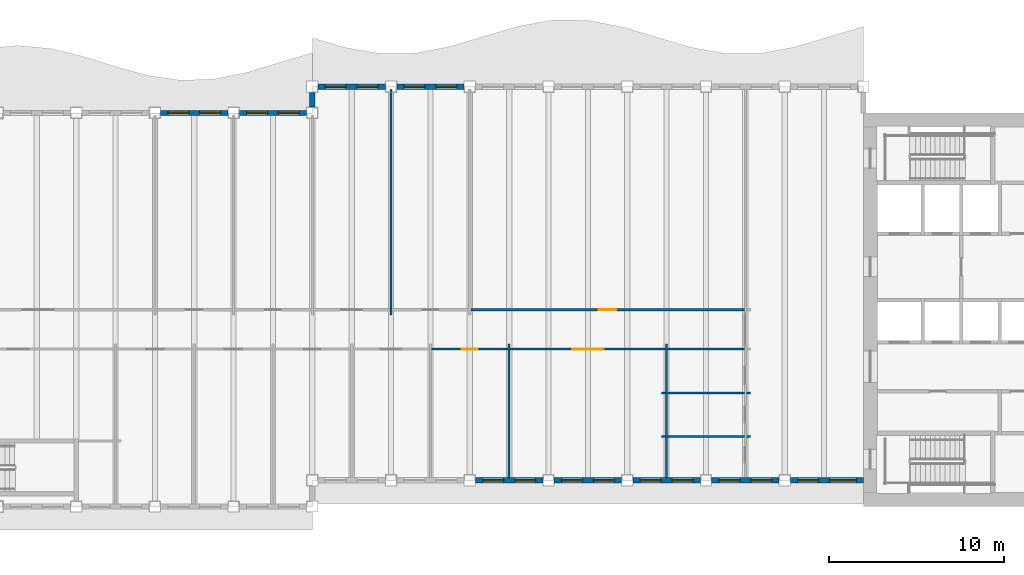
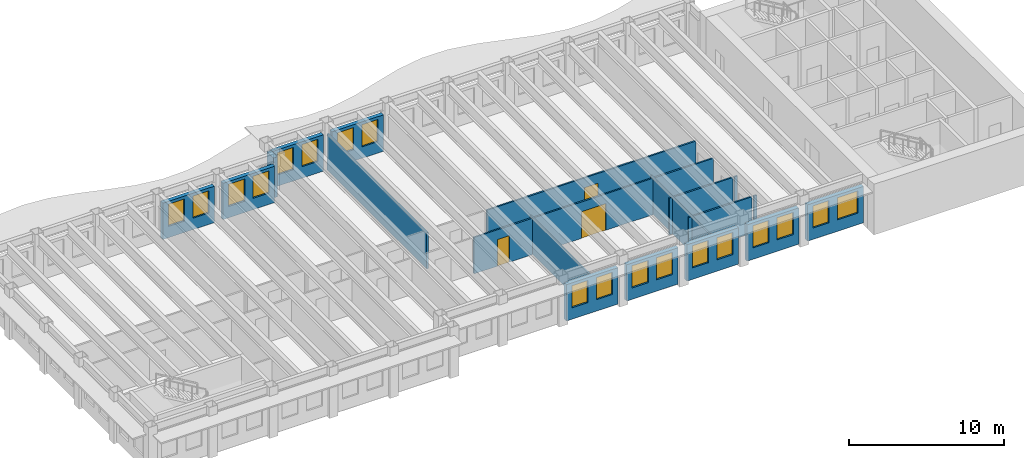
# One storey, part 4 of 12: 23 walls, 18 windows, 3 doors, 21 openings.
"""IFC4 building model written with IfcOpenShell, lengths in metres."""

import ifcopenshell
import ifcopenshell.guid

model = None  # the IFC model being written
_history = None  # IfcOwnerHistory: only IFC2X3 demands one
_inside = {}  # id of a spatial element -> (the spatial element, [elements in it])
_under = {}  # id of a project, library or spatial element -> (it, [spatial elements below it])
_declared = {}  # id of a project -> (the project, [libraries it declares])
_typed = {}  # id of a type object -> (the type object, [elements of that type])
_made_of = {}  # id of a material, layer set ... -> (it, [elements and type objects made of it])


def new_model(schema):
    """Start an empty IFC model of exactly this schema.

    Asked for "IFC4X3", IfcOpenShell would pick the latest addendum, in which some entities
    have other attributes; the version numbers below select the first issue.
    IFC2X3 requires an IfcOwnerHistory on every rooted entity: one is made here for all.
    """
    global model, _history
    if schema == "IFC4X3":
        model = ifcopenshell.file(schema_version=(4, 3, 0, 0))
    else:
        model = ifcopenshell.file(schema=schema)
    _inside.clear()
    _under.clear()
    _declared.clear()
    _typed.clear()
    _made_of.clear()
    _history = None
    if model.schema == "IFC2X3":
        org = make("IfcOrganization", Name="unknown")
        user = make(
            "IfcPersonAndOrganization",
            ThePerson=make("IfcPerson", FamilyName="unknown"),
            TheOrganization=org,
        )
        app = make(
            "IfcApplication",
            ApplicationDeveloper=org,
            Version="unknown",
            ApplicationFullName="unknown",
            ApplicationIdentifier="unknown",
        )
        _history = make(
            "IfcOwnerHistory",
            OwningUser=user,
            OwningApplication=app,
            ChangeAction="ADDED",
            CreationDate=0,
        )
    return model


def make(cls, **values):
    """One entity of the class cls with the attributes given. An attribute that is None is left unset."""
    return model.create_entity(
        cls, **{name: value for name, value in values.items() if value is not None}
    )


def rooted(cls, **values):
    """An entity with a GlobalId (a new one), such as an element, a storey or a relation."""
    return make(cls, GlobalId=ifcopenshell.guid.new(), OwnerHistory=_history, **values)


def si_unit(unit_type, name, prefix=None):
    """IfcSIUnit, for example si_unit("LENGTHUNIT", "METRE", prefix="MILLI")."""
    return make("IfcSIUnit", UnitType=unit_type, Prefix=prefix, Name=name)


def assignment(units):
    """IfcUnitAssignment: the units of a project."""
    return None if units is None else make("IfcUnitAssignment", Units=units)


def point(xyz):
    """IfcCartesianPoint."""
    return None if xyz is None else make("IfcCartesianPoint", Coordinates=xyz)


def direction(xyz):
    """IfcDirection."""
    return None if xyz is None else make("IfcDirection", DirectionRatios=xyz)


def frame(location, z_axis=None, x_axis=None):
    """IfcAxis2Placement3D, a coordinate frame: its origin and axes. An axis left out is left unset."""
    return make(
        "IfcAxis2Placement3D",
        Location=point(location),
        Axis=direction(z_axis),
        RefDirection=direction(x_axis),
    )


def frame_2d(location, x_axis=None):
    """IfcAxis2Placement2D, a coordinate frame in the plane: its origin and x axis."""
    return make(
        "IfcAxis2Placement2D", Location=point(location), RefDirection=direction(x_axis)
    )


def origin():
    """The frame at (0, 0, 0) with its axes left unset."""
    return frame((0.0, 0.0, 0.0))


def place(relative_to, where):
    """IfcLocalPlacement: puts the frame where relative to a parent placement (None: the world)."""
    return make(
        "IfcLocalPlacement", PlacementRelTo=relative_to, RelativePlacement=where
    )


def context(
    kind, dimensions, precision=None, world=None, true_north=None, identifier=None
):
    """IfcGeometricRepresentationContext, for example the 3D "Model" context."""
    return make(
        "IfcGeometricRepresentationContext",
        ContextIdentifier=identifier,
        ContextType=kind,
        CoordinateSpaceDimension=dimensions,
        Precision=precision,
        WorldCoordinateSystem=world,
        TrueNorth=true_north,
    )


def subcontext(parent, identifier, kind, view, scale=None):
    """IfcGeometricRepresentationSubContext, for example "Body" below "Model"."""
    return make(
        "IfcGeometricRepresentationSubContext",
        ContextIdentifier=identifier,
        ContextType=kind,
        ParentContext=parent,
        TargetScale=scale,
        TargetView=view,
    )


def project(units=None, contexts=None):
    """IfcProject with its units and contexts."""
    return rooted(
        "IfcProject",
        Name="project",
        RepresentationContexts=contexts,
        UnitsInContext=assignment(units),
    )


def spatial(cls, under=None, at=None, **own):
    """A site, building, storey or space (cls), placed at a placement, below another one or the project."""
    s = rooted(cls, ObjectPlacement=at, **own)
    if under is not None:
        _under.setdefault(under.id(), (under, []))[1].append(s)
    return s


def profile(cls, at=None, kind="AREA", **sizes):
    """A parametric profile (cls). Its sizes go by their IFC names, for example OverallWidth=200.0."""
    return make(cls, ProfileType=kind, Position=at, **sizes)


def rectangle(**sizes):
    """IfcRectangleProfileDef."""
    return profile("IfcRectangleProfileDef", **sizes)


def extrude(swept, where, along, depth):
    """IfcExtrudedAreaSolid: the profile swept, set in the frame where, extruded along a direction by depth."""
    return make(
        "IfcExtrudedAreaSolid",
        SweptArea=swept,
        Position=where,
        ExtrudedDirection=direction(along),
        Depth=depth,
    )


def shape(context_of_items, identifier, shape_type, items):
    """IfcShapeRepresentation: the items that make up one representation, for example the "Body"."""
    return make(
        "IfcShapeRepresentation",
        ContextOfItems=context_of_items,
        RepresentationIdentifier=identifier,
        RepresentationType=shape_type,
        Items=items,
    )


def material(Name=None, Category=None):
    """IfcMaterial."""
    return make("IfcMaterial", Name=Name, Category=Category)


def layer(
    of_material, thickness, ventilated=None, Name=None, Category=None, Priority=None
):
    """IfcMaterialLayer: one layer of a wall or slab, of a material (None: an air gap)."""
    return make(
        "IfcMaterialLayer",
        Material=of_material,
        LayerThickness=thickness,
        IsVentilated=ventilated,
        Name=Name,
        Category=Category,
        Priority=Priority,
    )


def layer_set(layers, Name=None):
    """IfcMaterialLayerSet."""
    return make("IfcMaterialLayerSet", MaterialLayers=layers, LayerSetName=Name)


def made_of(thing, what):
    """Note that an element or type object is made of a material, layer set ...; save() writes the relation."""
    if what is not None:
        _made_of.setdefault(what.id(), (what, []))[1].append(thing)
    return thing


def type_object(cls, material=None, **own):
    """A type object (cls), such as IfcWallType, which elements share."""
    return made_of(rooted(cls, **own), material)


def element(
    cls,
    number,
    at=None,
    inside=None,
    cuts=None,
    type_object=None,
    material=None,
    context=None,
    identifier="Body",
    shape_type=None,
    held_by="IfcProductDefinitionShape",
    body=None,
    shapes=None,
    **own,
):
    """One element of the class cls, such as IfcWall. Its Tag is "e" and its number.

    at: its placement. inside: the storey or other place that contains it. cuts: it is an
    opening in that element (IfcRelVoidsElement). A single representation is given by context,
    identifier, shape_type and body (its items); several are given by shapes. held_by: the class
    of the entity that holds the representations. save() writes the other relations.
    """
    e = rooted(cls, Tag="e%d" % number, ObjectPlacement=at, **own)
    if body is not None:
        shapes = [shape(context, identifier, shape_type, body)]
    if shapes is not None:
        e.Representation = make(held_by, Representations=shapes)
    if inside is not None:
        _inside.setdefault(inside.id(), (inside, []))[1].append(e)
    if cuts is not None:
        rooted(
            "IfcRelVoidsElement", RelatingBuildingElement=cuts, RelatedOpeningElement=e
        )
    if type_object is not None:
        _typed.setdefault(type_object.id(), (type_object, []))[1].append(e)
    return made_of(e, material)


def fill(opening, filler):
    """IfcRelFillsElement: the door or window that sits in an opening."""
    return rooted(
        "IfcRelFillsElement",
        RelatingOpeningElement=opening,
        RelatedBuildingElement=filler,
    )


def aggregate(whole, parts):
    """IfcRelAggregates: a whole, such as a stair, and the parts it consists of."""
    return rooted("IfcRelAggregates", RelatingObject=whole, RelatedObjects=parts)


def save(model, path):
    """Write the relations noted so far, then the file.

    IfcRelAggregates (storeys below a building ...), IfcRelContainedInSpatialStructure (elements
    in a storey), IfcRelDefinesByType, IfcRelAssociatesMaterial and IfcRelDeclares: one each for
    every whole, place, type object, material and project.
    """
    for whole, parts in _under.values():
        aggregate(whole, parts)
    for where, things in _inside.values():
        rooted(
            "IfcRelContainedInSpatialStructure",
            RelatedElements=things,
            RelatingStructure=where,
        )
    for kind, things in _typed.values():
        rooted("IfcRelDefinesByType", RelatedObjects=things, RelatingType=kind)
    for what, things in _made_of.values():
        rooted("IfcRelAssociatesMaterial", RelatedObjects=things, RelatingMaterial=what)
    for by, libraries in _declared.values():
        rooted("IfcRelDeclares", RelatingContext=by, RelatedDefinitions=libraries)
    model.write(path)


model = new_model("IFC4")

# Units and contexts
model_context = context("Model", 3, precision=1e-05, world=origin(), true_north=direction((0.0, 1.0)))
body_context = subcontext(model_context, "Body", "Model", "MODEL_VIEW")
ifc_project = project(units=[si_unit("LENGTHUNIT", "METRE"), si_unit("AREAUNIT", "SQUARE_METRE"), si_unit("VOLUMEUNIT", "CUBIC_METRE"), si_unit("PLANEANGLEUNIT", "RADIAN"), si_unit("MASSUNIT", "GRAM", prefix="KILO")], contexts=[model_context])

# Site, building, storey
site_placement = place(None, origin())
site = spatial("IfcSite", under=ifc_project, at=site_placement, CompositionType="ELEMENT")
building_placement = place(site_placement, origin())
building = spatial("IfcBuilding", under=site, at=building_placement, Name="Sennacour Bend Tower", CompositionType="ELEMENT")
storey_placement = place(building_placement, frame((0.0, 0.0, 289.0)))
storey = spatial("IfcBuildingStorey", under=building, at=storey_placement, Name="L67", CompositionType="ELEMENT", Elevation=289.0)

# Walls
ifc_material_1 = material(Name="Plasterboard partition on steel studs", Category="steel")
ifc_layer_1 = layer(ifc_material_1, 0.1201171875, Name="Plasterboard partition on steel studs", Category="steel")
ifc_layer_set_1 = layer_set([ifc_layer_1], Name="Plasterboard partition on steel studs")
wall_type_1 = type_object("IfcWallType", Name="Partition 120", PredefinedType="PARTITIONING", material=ifc_layer_set_1)
wall_1_placement = place(storey_placement, frame((27.0, 10.949951171875, 0.0), z_axis=(0.0, 0.0, 1.0), x_axis=(0.0, 1.0, 0.0)))
element("IfcWall", 1, at=wall_1_placement, inside=storey, type_object=wall_type_1, Name="P-L67-W011a", PredefinedType="PARTITIONING", context=body_context, shape_type="SweptSolid", body=[
    extrude(rectangle(XDim=12.900146484375, YDim=0.1201171875, at=frame_2d((6.4501953125, 0.0))), origin(), (0.0, 0.0, 1.0), 2.8701171875),
])
for number, where, z_axis, x_axis, name in (
    (2, (33.75, 1.64990234375, 0.0), (0.0, 0.0, 1.0), (0.0, 1.0, 0.0), "P-L67-W014a"),
    (3, (42.75, 1.64990234375, 0.0), (0.0, 0.0, 1.0), (0.0, 1.0, 0.0), "P-L67-W015a"),
):
    element("IfcWall", number, at=place(storey_placement, frame(where, z_axis=z_axis, x_axis=x_axis)), inside=storey, type_object=wall_type_1, Name=name, PredefinedType="PARTITIONING", context=body_context, shape_type="SweptSolid", body=[
        extrude(rectangle(XDim=7.650146484375, YDim=0.1201171875, at=frame_2d((3.8251953125, 0.0))), origin(), (0.0, 0.0, 1.0), 2.8701171875),
    ])
wall_2_placement = place(storey_placement, frame((42.449951171875, 4.0, 0.0), z_axis=(0.0, 0.0, 1.0), x_axis=(1.0, 0.0, 0.0)))
element("IfcWall", 4, at=wall_2_placement, inside=storey, type_object=wall_type_1, Name="P-L67-W036aa", PredefinedType="PARTITIONING", context=body_context, shape_type="SweptSolid", body=[
    extrude(rectangle(XDim=0.239990234375, YDim=0.1201171875, at=frame_2d((0.1201171875, 0.0))), origin(), (0.0, 0.0, 1.0), 2.8701171875),
])
wall_3_placement = place(storey_placement, frame((42.81005859375, 4.0, 0.0), z_axis=(0.0, 0.0, 1.0), x_axis=(1.0, 0.0, 0.0)))
element("IfcWall", 5, at=wall_3_placement, inside=storey, type_object=wall_type_1, Name="P-L67-W036ab", PredefinedType="PARTITIONING", context=body_context, shape_type="SweptSolid", body=[
    extrude(rectangle(XDim=4.3798828125, YDim=0.1201171875, at=frame_2d((2.18994140625, 0.0))), origin(), (0.0, 0.0, 1.0), 2.8701171875),
])
for number, where, z_axis, x_axis, name in (
    (6, (47.31005859375, 4.0, 0.0), (0.0, 0.0, 1.0), (1.0, 0.0, 0.0), "P-L67-W036ac"),
    (7, (42.449951171875, 6.5, 0.0), (0.0, 0.0, 1.0), (1.0, 0.0, 0.0), "P-L67-W039aa"),
):
    element("IfcWall", number, at=place(storey_placement, frame(where, z_axis=z_axis, x_axis=x_axis)), inside=storey, type_object=wall_type_1, Name=name, PredefinedType="PARTITIONING", context=body_context, shape_type="SweptSolid", body=[
        extrude(rectangle(XDim=0.239990234375, YDim=0.1201171875, at=frame_2d((0.1201171875, 0.0))), origin(), (0.0, 0.0, 1.0), 2.8701171875),
    ])
wall_4_placement = place(storey_placement, frame((42.81005859375, 6.5, 0.0), z_axis=(0.0, 0.0, 1.0), x_axis=(1.0, 0.0, 0.0)))
element("IfcWall", 8, at=wall_4_placement, inside=storey, type_object=wall_type_1, Name="P-L67-W039ab", PredefinedType="PARTITIONING", context=body_context, shape_type="SweptSolid", body=[
    extrude(rectangle(XDim=4.3798828125, YDim=0.1201171875, at=frame_2d((2.18994140625, 0.0))), origin(), (0.0, 0.0, 1.0), 2.8701171875),
])
wall_5_placement = place(storey_placement, frame((47.31005859375, 6.5, 0.0), z_axis=(0.0, 0.0, 1.0), x_axis=(1.0, 0.0, 0.0)))
element("IfcWall", 9, at=wall_5_placement, inside=storey, type_object=wall_type_1, Name="P-L67-W039ac", PredefinedType="PARTITIONING", context=body_context, shape_type="SweptSolid", body=[
    extrude(rectangle(XDim=0.239990234375, YDim=0.1201171875, at=frame_2d((0.1201171875, 0.0))), origin(), (0.0, 0.0, 1.0), 2.8701171875),
])

# Wall, opening, door
wall_6_placement = place(storey_placement, frame((33.81005859375, 9.0, 0.0), z_axis=(0.0, 0.0, 1.0), x_axis=(1.0, 0.0, 0.0)))
wall_6 = element("IfcWall", 10, at=wall_6_placement, inside=storey, type_object=wall_type_1, Name="P-L67-W041ag", PredefinedType="PARTITIONING", context=body_context, shape_type="SweptSolid", body=[
    extrude(rectangle(XDim=8.8798828125, YDim=0.1201171875, at=frame_2d((4.43994140625, 0.0))), origin(), (0.0, 0.0, 1.0), 2.8701171875),
])
opening_1_placement = place(wall_6_placement, frame((3.539794921875, 0.0, 0.0)))
opening_1 = element("IfcOpeningElement", 11, at=opening_1_placement, cuts=wall_6, Name="Opening OD3", PredefinedType="OPENING", context=body_context, shape_type="SweptSolid", body=[
    extrude(rectangle(XDim=1.800048828125, YDim=2.10009765625, at=frame_2d((0.89990234375, 1.050048828125))), frame((0.0, 0.070068359375, 0.0), z_axis=(0.0, -1.0, 0.0), x_axis=(1.0, 0.0, 0.0)), (0.0, 0.0, 1.0), 0.14013671875),
])
ifc_material_2 = material(Name="Timber", Category="wood")
door_type_1 = type_object("IfcDoorType", Name="DR-OFFICE-1800", OperationType="NOTDEFINED", PredefinedType="DOOR", material=ifc_material_2)
door_1_placement = place(opening_1_placement, origin())
door_1 = element("IfcDoor", 12, at=door_1_placement, inside=storey, type_object=door_type_1, Name="Door", OperationType="DOUBLE_DOOR_SINGLE_SWING", OverallHeight=2.10009765625, OverallWidth=1.800048828125, PredefinedType="DOOR", context=body_context, shape_type="SweptSolid", body=[
    extrude(rectangle(XDim=1.800048828125, YDim=2.10009765625, at=frame_2d((0.89990234375, 1.050048828125))), frame((0.0, 0.02490234375, 0.0), z_axis=(0.0, -1.0, 0.0), x_axis=(1.0, 0.0, 0.0)), (0.0, 0.0, 1.0), 0.050048828125),
])
fill(opening_1, door_1)

# Wall
wall_7_placement = place(storey_placement, frame((42.81005859375, 9.0, 0.0), z_axis=(0.0, 0.0, 1.0), x_axis=(1.0, 0.0, 0.0)))
element("IfcWall", 13, at=wall_7_placement, inside=storey, type_object=wall_type_1, Name="P-L67-W041ah", PredefinedType="PARTITIONING", context=body_context, shape_type="SweptSolid", body=[
    extrude(rectangle(XDim=4.3798828125, YDim=0.1201171875, at=frame_2d((2.18994140625, 0.0))), origin(), (0.0, 0.0, 1.0), 2.8701171875),
])

# Wall, opening, door
wall_8_placement = place(storey_placement, frame((31.56005859375, 11.25, 0.0), z_axis=(0.0, 0.0, 1.0), x_axis=(1.0, 0.0, 0.0)))
wall_8 = element("IfcWall", 14, at=wall_8_placement, inside=storey, type_object=wall_type_1, Name="P-L67-W043af", PredefinedType="PARTITIONING", context=body_context, shape_type="SweptSolid", body=[
    extrude(rectangle(XDim=15.6298828125, YDim=0.1201171875, at=frame_2d((7.81494140625, 0.0))), origin(), (0.0, 0.0, 1.0), 2.8701171875),
])
opening_2_placement = place(wall_8_placement, frame((7.31494140625, 0.0, 0.0)))
opening_2 = element("IfcOpeningElement", 15, at=opening_2_placement, cuts=wall_8, Name="Opening OD2", PredefinedType="OPENING", context=body_context, shape_type="SweptSolid", body=[
    extrude(rectangle(XDim=1.0, YDim=2.10009765625, at=frame_2d((0.5, 1.050048828125))), frame((0.0, 0.070068359375, 0.0), z_axis=(0.0, -1.0, 0.0), x_axis=(1.0, 0.0, 0.0)), (0.0, 0.0, 1.0), 0.14013671875),
])
door_type_2 = type_object("IfcDoorType", Name="DR-OFFICE-1000", OperationType="NOTDEFINED", PredefinedType="DOOR", material=ifc_material_2)
door_2_placement = place(opening_2_placement, origin())
door_2 = element("IfcDoor", 16, at=door_2_placement, inside=storey, type_object=door_type_2, Name="Door", OperationType="SINGLE_SWING_LEFT", OverallHeight=2.10009765625, OverallWidth=1.0, PredefinedType="DOOR", context=body_context, shape_type="SweptSolid", body=[
    extrude(rectangle(XDim=1.0, YDim=2.10009765625, at=frame_2d((0.5, 1.050048828125))), frame((0.0, 0.02490234375, 0.0), z_axis=(0.0, -1.0, 0.0), x_axis=(1.0, 0.0, 0.0)), (0.0, 0.0, 1.0), 0.050048828125),
])
fill(opening_2, door_2)

ifc_layer_2 = layer(ifc_material_1, 0.1201171875, Name="Plasterboard partition on steel studs", Category="steel")
ifc_layer_set_2 = layer_set([ifc_layer_2], Name="Plasterboard partition on steel studs")
wall_type_2 = type_object("IfcWallType", Name="Partition 120 EI 60", PredefinedType="PARTITIONING", material=ifc_layer_set_2)
wall_9_placement = place(storey_placement, frame((29.31005859375, 9.0, 0.0), z_axis=(0.0, 0.0, 1.0), x_axis=(1.0, 0.0, 0.0)))
wall_9 = element("IfcWall", 17, at=wall_9_placement, inside=storey, type_object=wall_type_2, Name="P-L67-W041af", PredefinedType="PARTITIONING", context=body_context, shape_type="SweptSolid", body=[
    extrude(rectangle(XDim=4.3798828125, YDim=0.1201171875, at=frame_2d((2.18994140625, 0.0))), origin(), (0.0, 0.0, 1.0), 2.8701171875),
])
opening_3_placement = place(wall_9_placement, frame((1.739990234375, 0.0, 0.0)))
opening_3 = element("IfcOpeningElement", 18, at=opening_3_placement, cuts=wall_9, Name="Opening SV", PredefinedType="OPENING", context=body_context, shape_type="SweptSolid", body=[
    extrude(rectangle(XDim=0.89990234375, YDim=2.10009765625, at=frame_2d((0.449951171875, 1.050048828125))), frame((0.0, 0.070068359375, 0.0), z_axis=(0.0, -1.0, 0.0), x_axis=(1.0, 0.0, 0.0)), (0.0, 0.0, 1.0), 0.14013671875),
])
ifc_material_3 = material(Name="Painted steel", Category="steel")
door_type_3 = type_object("IfcDoorType", Name="DR-SERVICE-900", OperationType="NOTDEFINED", PredefinedType="DOOR", material=ifc_material_3)
door_3_placement = place(opening_3_placement, origin())
door_3 = element("IfcDoor", 19, at=door_3_placement, inside=storey, type_object=door_type_3, Name="Door", OperationType="SINGLE_SWING_LEFT", OverallHeight=2.10009765625, OverallWidth=0.89990234375, PredefinedType="DOOR", context=body_context, shape_type="SweptSolid", body=[
    extrude(rectangle(XDim=0.89990234375, YDim=2.10009765625, at=frame_2d((0.449951171875, 1.050048828125))), frame((0.0, 0.02490234375, 0.0), z_axis=(0.0, -1.0, 0.0), x_axis=(1.0, 0.0, 0.0)), (0.0, 0.0, 1.0), 0.050048828125),
])
fill(opening_3, door_3)

# Wall, openings, windows
ifc_material_4 = material(Name="Warm limestone cladding", Category="masonry")
ifc_layer_3 = layer(ifc_material_4, 0.050048828125, Name="Warm limestone cladding", Category="masonry")
ifc_material_5 = material(Name="Precast concrete C40/50", Category="concrete")
ifc_layer_4 = layer(ifc_material_5, 0.25, Name="Precast concrete C40/50", Category="concrete")
ifc_layer_set_3 = layer_set([ifc_layer_3, ifc_layer_4], Name="Precast concrete C40/50 with limestone cladding")
wall_type_3 = type_object("IfcWallType", Name="STONE-CLAD PRECAST SPANDREL 300", PredefinedType="STANDARD", material=ifc_layer_set_3)
wall_10_placement = place(storey_placement, frame((31.824951171875, 1.5, 0.0), z_axis=(0.0, 0.0, 1.0), x_axis=(1.0, 0.0, 0.0)))
wall_10 = element("IfcWall", 20, at=wall_10_placement, inside=storey, type_object=wall_type_3, Name="Stone spandrel and pier wall L67 01.02", PredefinedType="STANDARD", context=body_context, shape_type="SweptSolid", body=[
    extrude(rectangle(XDim=3.85009765625, YDim=0.300048828125, at=frame_2d((1.925048828125, 0.0))), origin(), (0.0, 0.0, 1.0), 2.8701171875),
])
opening_4_placement = place(wall_10_placement, frame((0.41259765625, 0.0, 0.89990234375)))
opening_4 = element("IfcOpeningElement", 21, at=opening_4_placement, cuts=wall_10, Name="Opening W16", PredefinedType="OPENING", context=body_context, shape_type="SweptSolid", body=[
    extrude(rectangle(XDim=1.199951171875, YDim=1.75, at=frame_2d((0.60009765625, 0.875))), frame((0.0, 0.16015625, 0.0), z_axis=(0.0, -1.0, 0.0), x_axis=(1.0, 0.0, 0.0)), (0.0, 0.0, 1.0), 0.320068359375),
])
opening_5_placement = place(wall_10_placement, frame((2.237548828125, 0.0, 0.89990234375)))
opening_5 = element("IfcOpeningElement", 22, at=opening_5_placement, cuts=wall_10, Name="Opening W16", PredefinedType="OPENING", context=body_context, shape_type="SweptSolid", body=[
    extrude(rectangle(XDim=1.199951171875, YDim=1.75, at=frame_2d((0.60009765625, 0.875))), frame((0.0, 0.16015625, 0.0), z_axis=(0.0, -1.0, 0.0), x_axis=(1.0, 0.0, 0.0)), (0.0, 0.0, 1.0), 0.320068359375),
])
ifc_material_6 = material(Name="Clear low-emissivity glass", Category="glass")
window_type_1 = type_object("IfcWindowType", Name="WIN-RIBBON-1200x1750", PartitioningType="SINGLE_PANEL", PredefinedType="WINDOW", material=ifc_material_6)
window_1_placement = place(opening_4_placement, origin())
window_1 = element("IfcWindow", 23, at=window_1_placement, inside=storey, type_object=window_type_1, Name="Ribbon window L67 01.02.0", OverallHeight=1.75, OverallWidth=1.199951171875, PartitioningType="SINGLE_PANEL", PredefinedType="WINDOW", context=body_context, shape_type="SweptSolid", body=[
    extrude(rectangle(XDim=1.199951171875, YDim=1.75, at=frame_2d((0.60009765625, 0.875))), frame((0.0, 0.030029296875, 0.0), z_axis=(0.0, -1.0, 0.0), x_axis=(1.0, 0.0, 0.0)), (0.0, 0.0, 1.0), 0.06005859375),
])
fill(opening_4, window_1)
window_2_placement = place(opening_5_placement, origin())
window_2 = element("IfcWindow", 24, at=window_2_placement, inside=storey, type_object=window_type_1, Name="Ribbon window L67 01.02.1", OverallHeight=1.75, OverallWidth=1.199951171875, PartitioningType="SINGLE_PANEL", PredefinedType="WINDOW", context=body_context, shape_type="SweptSolid", body=[
    extrude(rectangle(XDim=1.199951171875, YDim=1.75, at=frame_2d((0.60009765625, 0.875))), frame((0.0, 0.030029296875, 0.0), z_axis=(0.0, -1.0, 0.0), x_axis=(1.0, 0.0, 0.0)), (0.0, 0.0, 1.0), 0.06005859375),
])
fill(opening_5, window_2)

wall_11_placement = place(storey_placement, frame((36.324951171875, 1.5, 0.0), z_axis=(0.0, 0.0, 1.0), x_axis=(1.0, 0.0, 0.0)))
wall_11 = element("IfcWall", 25, at=wall_11_placement, inside=storey, type_object=wall_type_3, Name="Stone spandrel and pier wall L67 01.03", PredefinedType="STANDARD", context=body_context, shape_type="SweptSolid", body=[
    extrude(rectangle(XDim=3.85009765625, YDim=0.300048828125, at=frame_2d((1.925048828125, 0.0))), origin(), (0.0, 0.0, 1.0), 2.8701171875),
])
opening_6_placement = place(wall_11_placement, frame((0.41259765625, 0.0, 0.89990234375)))
opening_6 = element("IfcOpeningElement", 26, at=opening_6_placement, cuts=wall_11, Name="Opening W16", PredefinedType="OPENING", context=body_context, shape_type="SweptSolid", body=[
    extrude(rectangle(XDim=1.199951171875, YDim=1.75, at=frame_2d((0.60009765625, 0.875))), frame((0.0, 0.16015625, 0.0), z_axis=(0.0, -1.0, 0.0), x_axis=(1.0, 0.0, 0.0)), (0.0, 0.0, 1.0), 0.320068359375),
])
opening_7_placement = place(wall_11_placement, frame((2.237548828125, 0.0, 0.89990234375)))
opening_7 = element("IfcOpeningElement", 27, at=opening_7_placement, cuts=wall_11, Name="Opening W16", PredefinedType="OPENING", context=body_context, shape_type="SweptSolid", body=[
    extrude(rectangle(XDim=1.199951171875, YDim=1.75, at=frame_2d((0.60009765625, 0.875))), frame((0.0, 0.16015625, 0.0), z_axis=(0.0, -1.0, 0.0), x_axis=(1.0, 0.0, 0.0)), (0.0, 0.0, 1.0), 0.320068359375),
])
window_3_placement = place(opening_6_placement, origin())
window_3 = element("IfcWindow", 28, at=window_3_placement, inside=storey, type_object=window_type_1, Name="Ribbon window L67 01.03.0", OverallHeight=1.75, OverallWidth=1.199951171875, PartitioningType="SINGLE_PANEL", PredefinedType="WINDOW", context=body_context, shape_type="SweptSolid", body=[
    extrude(rectangle(XDim=1.199951171875, YDim=1.75, at=frame_2d((0.60009765625, 0.875))), frame((0.0, 0.030029296875, 0.0), z_axis=(0.0, -1.0, 0.0), x_axis=(1.0, 0.0, 0.0)), (0.0, 0.0, 1.0), 0.06005859375),
])
fill(opening_6, window_3)
window_4_placement = place(opening_7_placement, origin())
window_4 = element("IfcWindow", 29, at=window_4_placement, inside=storey, type_object=window_type_1, Name="Ribbon window L67 01.03.1", OverallHeight=1.75, OverallWidth=1.199951171875, PartitioningType="SINGLE_PANEL", PredefinedType="WINDOW", context=body_context, shape_type="SweptSolid", body=[
    extrude(rectangle(XDim=1.199951171875, YDim=1.75, at=frame_2d((0.60009765625, 0.875))), frame((0.0, 0.030029296875, 0.0), z_axis=(0.0, -1.0, 0.0), x_axis=(1.0, 0.0, 0.0)), (0.0, 0.0, 1.0), 0.06005859375),
])
fill(opening_7, window_4)

wall_12_placement = place(storey_placement, frame((40.824951171875, 1.5, 0.0), z_axis=(0.0, 0.0, 1.0), x_axis=(1.0, 0.0, 0.0)))
wall_12 = element("IfcWall", 30, at=wall_12_placement, inside=storey, type_object=wall_type_3, Name="Stone spandrel and pier wall L67 01.04", PredefinedType="STANDARD", context=body_context, shape_type="SweptSolid", body=[
    extrude(rectangle(XDim=3.85009765625, YDim=0.300048828125, at=frame_2d((1.925048828125, 0.0))), origin(), (0.0, 0.0, 1.0), 2.8701171875),
])
opening_8_placement = place(wall_12_placement, frame((0.41259765625, 0.0, 0.89990234375)))
opening_8 = element("IfcOpeningElement", 31, at=opening_8_placement, cuts=wall_12, Name="Opening W16", PredefinedType="OPENING", context=body_context, shape_type="SweptSolid", body=[
    extrude(rectangle(XDim=1.199951171875, YDim=1.75, at=frame_2d((0.60009765625, 0.875))), frame((0.0, 0.16015625, 0.0), z_axis=(0.0, -1.0, 0.0), x_axis=(1.0, 0.0, 0.0)), (0.0, 0.0, 1.0), 0.320068359375),
])
opening_9_placement = place(wall_12_placement, frame((2.237548828125, 0.0, 0.89990234375)))
opening_9 = element("IfcOpeningElement", 32, at=opening_9_placement, cuts=wall_12, Name="Opening W16", PredefinedType="OPENING", context=body_context, shape_type="SweptSolid", body=[
    extrude(rectangle(XDim=1.199951171875, YDim=1.75, at=frame_2d((0.60009765625, 0.875))), frame((0.0, 0.16015625, 0.0), z_axis=(0.0, -1.0, 0.0), x_axis=(1.0, 0.0, 0.0)), (0.0, 0.0, 1.0), 0.320068359375),
])
window_5_placement = place(opening_8_placement, origin())
window_5 = element("IfcWindow", 33, at=window_5_placement, inside=storey, type_object=window_type_1, Name="Ribbon window L67 01.04.0", OverallHeight=1.75, OverallWidth=1.199951171875, PartitioningType="SINGLE_PANEL", PredefinedType="WINDOW", context=body_context, shape_type="SweptSolid", body=[
    extrude(rectangle(XDim=1.199951171875, YDim=1.75, at=frame_2d((0.60009765625, 0.875))), frame((0.0, 0.030029296875, 0.0), z_axis=(0.0, -1.0, 0.0), x_axis=(1.0, 0.0, 0.0)), (0.0, 0.0, 1.0), 0.06005859375),
])
fill(opening_8, window_5)
window_6_placement = place(opening_9_placement, origin())
window_6 = element("IfcWindow", 34, at=window_6_placement, inside=storey, type_object=window_type_1, Name="Ribbon window L67 01.04.1", OverallHeight=1.75, OverallWidth=1.199951171875, PartitioningType="SINGLE_PANEL", PredefinedType="WINDOW", context=body_context, shape_type="SweptSolid", body=[
    extrude(rectangle(XDim=1.199951171875, YDim=1.75, at=frame_2d((0.60009765625, 0.875))), frame((0.0, 0.030029296875, 0.0), z_axis=(0.0, -1.0, 0.0), x_axis=(1.0, 0.0, 0.0)), (0.0, 0.0, 1.0), 0.06005859375),
])
fill(opening_9, window_6)

wall_13_placement = place(storey_placement, frame((45.324951171875, 1.5, 0.0), z_axis=(0.0, 0.0, 1.0), x_axis=(1.0, 0.0, 0.0)))
wall_13 = element("IfcWall", 35, at=wall_13_placement, inside=storey, type_object=wall_type_3, Name="Stone spandrel and pier wall L67 01.05", PredefinedType="STANDARD", context=body_context, shape_type="SweptSolid", body=[
    extrude(rectangle(XDim=3.85009765625, YDim=0.300048828125, at=frame_2d((1.925048828125, 0.0))), origin(), (0.0, 0.0, 1.0), 2.8701171875),
])
opening_10_placement = place(wall_13_placement, frame((0.41259765625, 0.0, 0.89990234375)))
opening_10 = element("IfcOpeningElement", 36, at=opening_10_placement, cuts=wall_13, Name="Opening W16", PredefinedType="OPENING", context=body_context, shape_type="SweptSolid", body=[
    extrude(rectangle(XDim=1.199951171875, YDim=1.75, at=frame_2d((0.60009765625, 0.875))), frame((0.0, 0.16015625, 0.0), z_axis=(0.0, -1.0, 0.0), x_axis=(1.0, 0.0, 0.0)), (0.0, 0.0, 1.0), 0.320068359375),
])
opening_11_placement = place(wall_13_placement, frame((2.237548828125, 0.0, 0.89990234375)))
opening_11 = element("IfcOpeningElement", 37, at=opening_11_placement, cuts=wall_13, Name="Opening W16", PredefinedType="OPENING", context=body_context, shape_type="SweptSolid", body=[
    extrude(rectangle(XDim=1.199951171875, YDim=1.75, at=frame_2d((0.60009765625, 0.875))), frame((0.0, 0.16015625, 0.0), z_axis=(0.0, -1.0, 0.0), x_axis=(1.0, 0.0, 0.0)), (0.0, 0.0, 1.0), 0.320068359375),
])
window_7_placement = place(opening_10_placement, origin())
window_7 = element("IfcWindow", 38, at=window_7_placement, inside=storey, type_object=window_type_1, Name="Ribbon window L67 01.05.0", OverallHeight=1.75, OverallWidth=1.199951171875, PartitioningType="SINGLE_PANEL", PredefinedType="WINDOW", context=body_context, shape_type="SweptSolid", body=[
    extrude(rectangle(XDim=1.199951171875, YDim=1.75, at=frame_2d((0.60009765625, 0.875))), frame((0.0, 0.030029296875, 0.0), z_axis=(0.0, -1.0, 0.0), x_axis=(1.0, 0.0, 0.0)), (0.0, 0.0, 1.0), 0.06005859375),
])
fill(opening_10, window_7)
window_8_placement = place(opening_11_placement, origin())
window_8 = element("IfcWindow", 39, at=window_8_placement, inside=storey, type_object=window_type_1, Name="Ribbon window L67 01.05.1", OverallHeight=1.75, OverallWidth=1.199951171875, PartitioningType="SINGLE_PANEL", PredefinedType="WINDOW", context=body_context, shape_type="SweptSolid", body=[
    extrude(rectangle(XDim=1.199951171875, YDim=1.75, at=frame_2d((0.60009765625, 0.875))), frame((0.0, 0.030029296875, 0.0), z_axis=(0.0, -1.0, 0.0), x_axis=(1.0, 0.0, 0.0)), (0.0, 0.0, 1.0), 0.06005859375),
])
fill(opening_11, window_8)

wall_14_placement = place(storey_placement, frame((49.824951171875, 1.5, 0.0), z_axis=(0.0, 0.0, 1.0), x_axis=(1.0, 0.0, 0.0)))
wall_14 = element("IfcWall", 40, at=wall_14_placement, inside=storey, type_object=wall_type_3, Name="Stone spandrel and pier wall L67 01.06", PredefinedType="STANDARD", context=body_context, shape_type="SweptSolid", body=[
    extrude(rectangle(XDim=4.175048828125, YDim=0.300048828125, at=frame_2d((2.08740234375, 0.0))), origin(), (0.0, 0.0, 1.0), 2.8701171875),
])
opening_12_placement = place(wall_14_placement, frame((0.41259765625, 0.0, 0.89990234375)))
opening_12 = element("IfcOpeningElement", 41, at=opening_12_placement, cuts=wall_14, Name="Opening W16", PredefinedType="OPENING", context=body_context, shape_type="SweptSolid", body=[
    extrude(rectangle(XDim=1.199951171875, YDim=1.75, at=frame_2d((0.60009765625, 0.875))), frame((0.0, 0.16015625, 0.0), z_axis=(0.0, -1.0, 0.0), x_axis=(1.0, 0.0, 0.0)), (0.0, 0.0, 1.0), 0.320068359375),
])
opening_13_placement = place(wall_14_placement, frame((2.22509765625, 0.0, 0.89990234375)))
opening_13 = element("IfcOpeningElement", 42, at=opening_13_placement, cuts=wall_14, Name="Opening W12", PredefinedType="OPENING", context=body_context, shape_type="SweptSolid", body=[
    extrude(rectangle(XDim=1.550048828125, YDim=1.75, at=frame_2d((0.77490234375, 0.875))), frame((0.0, 0.16015625, 0.0), z_axis=(0.0, -1.0, 0.0), x_axis=(1.0, 0.0, 0.0)), (0.0, 0.0, 1.0), 0.320068359375),
])
window_9_placement = place(opening_12_placement, origin())
window_9 = element("IfcWindow", 43, at=window_9_placement, inside=storey, type_object=window_type_1, Name="Ribbon window L67 01.06.0", OverallHeight=1.75, OverallWidth=1.199951171875, PartitioningType="SINGLE_PANEL", PredefinedType="WINDOW", context=body_context, shape_type="SweptSolid", body=[
    extrude(rectangle(XDim=1.199951171875, YDim=1.75, at=frame_2d((0.60009765625, 0.875))), frame((0.0, 0.030029296875, 0.0), z_axis=(0.0, -1.0, 0.0), x_axis=(1.0, 0.0, 0.0)), (0.0, 0.0, 1.0), 0.06005859375),
])
fill(opening_12, window_9)
window_type_2 = type_object("IfcWindowType", Name="WIN-RIBBON-1550x1750", PartitioningType="SINGLE_PANEL", PredefinedType="WINDOW", material=ifc_material_6)
window_10_placement = place(opening_13_placement, origin())
window_10 = element("IfcWindow", 44, at=window_10_placement, inside=storey, type_object=window_type_2, Name="Ribbon window L67 01.06.1", OverallHeight=1.75, OverallWidth=1.550048828125, PartitioningType="SINGLE_PANEL", PredefinedType="WINDOW", context=body_context, shape_type="SweptSolid", body=[
    extrude(rectangle(XDim=1.550048828125, YDim=1.75, at=frame_2d((0.77490234375, 0.875))), frame((0.0, 0.030029296875, 0.0), z_axis=(0.0, -1.0, 0.0), x_axis=(1.0, 0.0, 0.0)), (0.0, 0.0, 1.0), 0.06005859375),
])
fill(opening_13, window_10)

wall_15_placement = place(storey_placement, frame((31.175048828125, 24.0, 0.0), z_axis=(0.0, 0.0, 1.0), x_axis=(-1.0, 0.0, 0.0)))
wall_15 = element("IfcWall", 45, at=wall_15_placement, inside=storey, type_object=wall_type_3, Name="Stone spandrel and pier wall L67 07.05", PredefinedType="STANDARD", context=body_context, shape_type="SweptSolid", body=[
    extrude(rectangle(XDim=3.85009765625, YDim=0.300048828125, at=frame_2d((1.925048828125, 0.0))), origin(), (0.0, 0.0, 1.0), 2.8701171875),
])
opening_14_placement = place(wall_15_placement, frame((0.41259765625, 0.0, 0.89990234375)))
opening_14 = element("IfcOpeningElement", 46, at=opening_14_placement, cuts=wall_15, Name="Opening W16", PredefinedType="OPENING", context=body_context, shape_type="SweptSolid", body=[
    extrude(rectangle(XDim=1.199951171875, YDim=1.75, at=frame_2d((0.60009765625, 0.875))), frame((0.0, 0.16015625, 0.0), z_axis=(0.0, -1.0, 0.0), x_axis=(1.0, 0.0, 0.0)), (0.0, 0.0, 1.0), 0.320068359375),
])
opening_15_placement = place(wall_15_placement, frame((2.237548828125, 0.0, 0.89990234375)))
opening_15 = element("IfcOpeningElement", 47, at=opening_15_placement, cuts=wall_15, Name="Opening W16", PredefinedType="OPENING", context=body_context, shape_type="SweptSolid", body=[
    extrude(rectangle(XDim=1.199951171875, YDim=1.75, at=frame_2d((0.60009765625, 0.875))), frame((0.0, 0.16015625, 0.0), z_axis=(0.0, -1.0, 0.0), x_axis=(1.0, 0.0, 0.0)), (0.0, 0.0, 1.0), 0.320068359375),
])
window_11_placement = place(opening_14_placement, origin())
window_11 = element("IfcWindow", 48, at=window_11_placement, inside=storey, type_object=window_type_1, Name="Ribbon window L67 07.05.0", OverallHeight=1.75, OverallWidth=1.199951171875, PartitioningType="SINGLE_PANEL", PredefinedType="WINDOW", context=body_context, shape_type="SweptSolid", body=[
    extrude(rectangle(XDim=1.199951171875, YDim=1.75, at=frame_2d((0.60009765625, 0.875))), frame((0.0, 0.030029296875, 0.0), z_axis=(0.0, -1.0, 0.0), x_axis=(1.0, 0.0, 0.0)), (0.0, 0.0, 1.0), 0.06005859375),
])
fill(opening_14, window_11)
window_12_placement = place(opening_15_placement, origin())
window_12 = element("IfcWindow", 49, at=window_12_placement, inside=storey, type_object=window_type_1, Name="Ribbon window L67 07.05.1", OverallHeight=1.75, OverallWidth=1.199951171875, PartitioningType="SINGLE_PANEL", PredefinedType="WINDOW", context=body_context, shape_type="SweptSolid", body=[
    extrude(rectangle(XDim=1.199951171875, YDim=1.75, at=frame_2d((0.60009765625, 0.875))), frame((0.0, 0.030029296875, 0.0), z_axis=(0.0, -1.0, 0.0), x_axis=(1.0, 0.0, 0.0)), (0.0, 0.0, 1.0), 0.06005859375),
])
fill(opening_15, window_12)

wall_16_placement = place(storey_placement, frame((26.675048828125, 24.0, 0.0), z_axis=(0.0, 0.0, 1.0), x_axis=(-1.0, 0.0, 0.0)))
wall_16 = element("IfcWall", 50, at=wall_16_placement, inside=storey, type_object=wall_type_3, Name="Stone spandrel and pier wall L67 07.06", PredefinedType="STANDARD", context=body_context, shape_type="SweptSolid", body=[
    extrude(rectangle(XDim=3.85009765625, YDim=0.300048828125, at=frame_2d((1.925048828125, 0.0))), origin(), (0.0, 0.0, 1.0), 2.8701171875),
])
opening_16_placement = place(wall_16_placement, frame((0.41259765625, 0.0, 0.89990234375)))
opening_16 = element("IfcOpeningElement", 51, at=opening_16_placement, cuts=wall_16, Name="Opening W16", PredefinedType="OPENING", context=body_context, shape_type="SweptSolid", body=[
    extrude(rectangle(XDim=1.199951171875, YDim=1.75, at=frame_2d((0.60009765625, 0.875))), frame((0.0, 0.16015625, 0.0), z_axis=(0.0, -1.0, 0.0), x_axis=(1.0, 0.0, 0.0)), (0.0, 0.0, 1.0), 0.320068359375),
])
opening_17_placement = place(wall_16_placement, frame((2.237548828125, 0.0, 0.89990234375)))
opening_17 = element("IfcOpeningElement", 52, at=opening_17_placement, cuts=wall_16, Name="Opening W16", PredefinedType="OPENING", context=body_context, shape_type="SweptSolid", body=[
    extrude(rectangle(XDim=1.199951171875, YDim=1.75, at=frame_2d((0.60009765625, 0.875))), frame((0.0, 0.16015625, 0.0), z_axis=(0.0, -1.0, 0.0), x_axis=(1.0, 0.0, 0.0)), (0.0, 0.0, 1.0), 0.320068359375),
])
window_13_placement = place(opening_16_placement, origin())
window_13 = element("IfcWindow", 53, at=window_13_placement, inside=storey, type_object=window_type_1, Name="Ribbon window L67 07.06.0", OverallHeight=1.75, OverallWidth=1.199951171875, PartitioningType="SINGLE_PANEL", PredefinedType="WINDOW", context=body_context, shape_type="SweptSolid", body=[
    extrude(rectangle(XDim=1.199951171875, YDim=1.75, at=frame_2d((0.60009765625, 0.875))), frame((0.0, 0.030029296875, 0.0), z_axis=(0.0, -1.0, 0.0), x_axis=(1.0, 0.0, 0.0)), (0.0, 0.0, 1.0), 0.06005859375),
])
fill(opening_16, window_13)
window_14_placement = place(opening_17_placement, origin())
window_14 = element("IfcWindow", 54, at=window_14_placement, inside=storey, type_object=window_type_1, Name="Ribbon window L67 07.06.1", OverallHeight=1.75, OverallWidth=1.199951171875, PartitioningType="SINGLE_PANEL", PredefinedType="WINDOW", context=body_context, shape_type="SweptSolid", body=[
    extrude(rectangle(XDim=1.199951171875, YDim=1.75, at=frame_2d((0.60009765625, 0.875))), frame((0.0, 0.030029296875, 0.0), z_axis=(0.0, -1.0, 0.0), x_axis=(1.0, 0.0, 0.0)), (0.0, 0.0, 1.0), 0.06005859375),
])
fill(opening_17, window_14)

# Wall
wall_17_placement = place(storey_placement, frame((22.5, 23.675048828125, 0.0), z_axis=(0.0, 0.0, 1.0), x_axis=(0.0, -1.0, 0.0)))
element("IfcWall", 55, at=wall_17_placement, inside=storey, type_object=wall_type_3, Name="Stone spandrel and pier wall L67 08.00", PredefinedType="STANDARD", context=body_context, shape_type="SweptSolid", body=[
    extrude(rectangle(XDim=0.85009765625, YDim=0.300048828125, at=frame_2d((0.425048828125, 0.0))), origin(), (0.0, 0.0, 1.0), 3.162109375),
])

# Wall, openings, windows
wall_18_placement = place(storey_placement, frame((22.175048828125, 22.5, 0.0), z_axis=(0.0, 0.0, 1.0), x_axis=(-1.0, 0.0, 0.0)))
wall_18 = element("IfcWall", 56, at=wall_18_placement, inside=storey, type_object=wall_type_3, Name="Stone spandrel and pier wall L67 09.00", PredefinedType="STANDARD", context=body_context, shape_type="SweptSolid", body=[
    extrude(rectangle(XDim=3.85009765625, YDim=0.300048828125, at=frame_2d((1.925048828125, 0.0))), origin(), (0.0, 0.0, 1.0), 2.8701171875),
])
opening_18_placement = place(wall_18_placement, frame((0.41259765625, 0.0, 0.89990234375)))
opening_18 = element("IfcOpeningElement", 57, at=opening_18_placement, cuts=wall_18, Name="Opening W16", PredefinedType="OPENING", context=body_context, shape_type="SweptSolid", body=[
    extrude(rectangle(XDim=1.199951171875, YDim=1.75, at=frame_2d((0.60009765625, 0.875))), frame((0.0, 0.16015625, 0.0), z_axis=(0.0, -1.0, 0.0), x_axis=(1.0, 0.0, 0.0)), (0.0, 0.0, 1.0), 0.320068359375),
])
opening_19_placement = place(wall_18_placement, frame((2.237548828125, 0.0, 0.89990234375)))
opening_19 = element("IfcOpeningElement", 58, at=opening_19_placement, cuts=wall_18, Name="Opening W16", PredefinedType="OPENING", context=body_context, shape_type="SweptSolid", body=[
    extrude(rectangle(XDim=1.199951171875, YDim=1.75, at=frame_2d((0.60009765625, 0.875))), frame((0.0, 0.16015625, 0.0), z_axis=(0.0, -1.0, 0.0), x_axis=(1.0, 0.0, 0.0)), (0.0, 0.0, 1.0), 0.320068359375),
])
window_15_placement = place(opening_18_placement, origin())
window_15 = element("IfcWindow", 59, at=window_15_placement, inside=storey, type_object=window_type_1, Name="Ribbon window L67 09.00.0", OverallHeight=1.75, OverallWidth=1.199951171875, PartitioningType="SINGLE_PANEL", PredefinedType="WINDOW", context=body_context, shape_type="SweptSolid", body=[
    extrude(rectangle(XDim=1.199951171875, YDim=1.75, at=frame_2d((0.60009765625, 0.875))), frame((0.0, 0.030029296875, 0.0), z_axis=(0.0, -1.0, 0.0), x_axis=(1.0, 0.0, 0.0)), (0.0, 0.0, 1.0), 0.06005859375),
])
fill(opening_18, window_15)
window_16_placement = place(opening_19_placement, origin())
window_16 = element("IfcWindow", 60, at=window_16_placement, inside=storey, type_object=window_type_1, Name="Ribbon window L67 09.00.1", OverallHeight=1.75, OverallWidth=1.199951171875, PartitioningType="SINGLE_PANEL", PredefinedType="WINDOW", context=body_context, shape_type="SweptSolid", body=[
    extrude(rectangle(XDim=1.199951171875, YDim=1.75, at=frame_2d((0.60009765625, 0.875))), frame((0.0, 0.030029296875, 0.0), z_axis=(0.0, -1.0, 0.0), x_axis=(1.0, 0.0, 0.0)), (0.0, 0.0, 1.0), 0.06005859375),
])
fill(opening_19, window_16)

wall_19_placement = place(storey_placement, frame((17.675048828125, 22.5, 0.0), z_axis=(0.0, 0.0, 1.0), x_axis=(-1.0, 0.0, 0.0)))
wall_19 = element("IfcWall", 61, at=wall_19_placement, inside=storey, type_object=wall_type_3, Name="Stone spandrel and pier wall L67 09.01", PredefinedType="STANDARD", context=body_context, shape_type="SweptSolid", body=[
    extrude(rectangle(XDim=3.85009765625, YDim=0.300048828125, at=frame_2d((1.925048828125, 0.0))), origin(), (0.0, 0.0, 1.0), 2.8701171875),
])
opening_20_placement = place(wall_19_placement, frame((0.41259765625, 0.0, 0.89990234375)))
opening_20 = element("IfcOpeningElement", 62, at=opening_20_placement, cuts=wall_19, Name="Opening W16", PredefinedType="OPENING", context=body_context, shape_type="SweptSolid", body=[
    extrude(rectangle(XDim=1.199951171875, YDim=1.75, at=frame_2d((0.60009765625, 0.875))), frame((0.0, 0.16015625, 0.0), z_axis=(0.0, -1.0, 0.0), x_axis=(1.0, 0.0, 0.0)), (0.0, 0.0, 1.0), 0.320068359375),
])
opening_21_placement = place(wall_19_placement, frame((2.237548828125, 0.0, 0.89990234375)))
opening_21 = element("IfcOpeningElement", 63, at=opening_21_placement, cuts=wall_19, Name="Opening W16", PredefinedType="OPENING", context=body_context, shape_type="SweptSolid", body=[
    extrude(rectangle(XDim=1.199951171875, YDim=1.75, at=frame_2d((0.60009765625, 0.875))), frame((0.0, 0.16015625, 0.0), z_axis=(0.0, -1.0, 0.0), x_axis=(1.0, 0.0, 0.0)), (0.0, 0.0, 1.0), 0.320068359375),
])
window_17_placement = place(opening_20_placement, origin())
window_17 = element("IfcWindow", 64, at=window_17_placement, inside=storey, type_object=window_type_1, Name="Ribbon window L67 09.01.0", OverallHeight=1.75, OverallWidth=1.199951171875, PartitioningType="SINGLE_PANEL", PredefinedType="WINDOW", context=body_context, shape_type="SweptSolid", body=[
    extrude(rectangle(XDim=1.199951171875, YDim=1.75, at=frame_2d((0.60009765625, 0.875))), frame((0.0, 0.030029296875, 0.0), z_axis=(0.0, -1.0, 0.0), x_axis=(1.0, 0.0, 0.0)), (0.0, 0.0, 1.0), 0.06005859375),
])
fill(opening_20, window_17)
window_18_placement = place(opening_21_placement, origin())
window_18 = element("IfcWindow", 65, at=window_18_placement, inside=storey, type_object=window_type_1, Name="Ribbon window L67 09.01.1", OverallHeight=1.75, OverallWidth=1.199951171875, PartitioningType="SINGLE_PANEL", PredefinedType="WINDOW", context=body_context, shape_type="SweptSolid", body=[
    extrude(rectangle(XDim=1.199951171875, YDim=1.75, at=frame_2d((0.60009765625, 0.875))), frame((0.0, 0.030029296875, 0.0), z_axis=(0.0, -1.0, 0.0), x_axis=(1.0, 0.0, 0.0)), (0.0, 0.0, 1.0), 0.06005859375),
])
fill(opening_21, window_18)

save(model, "model.ifc")
